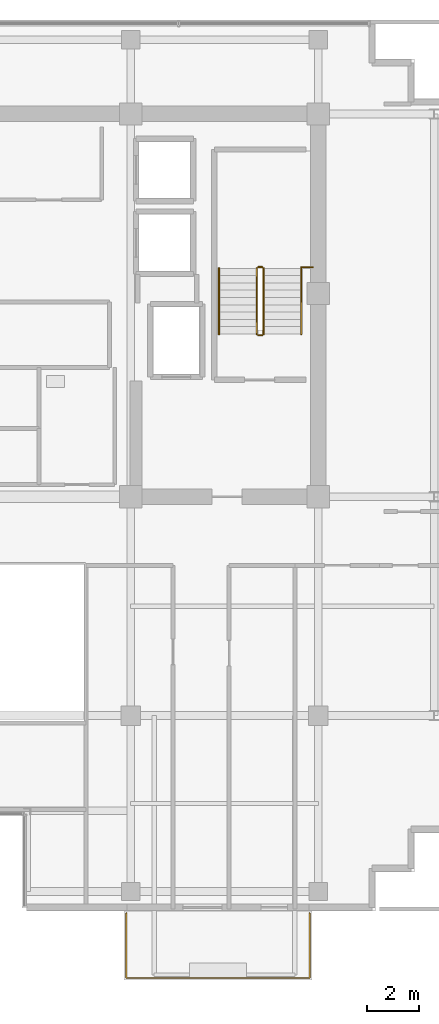
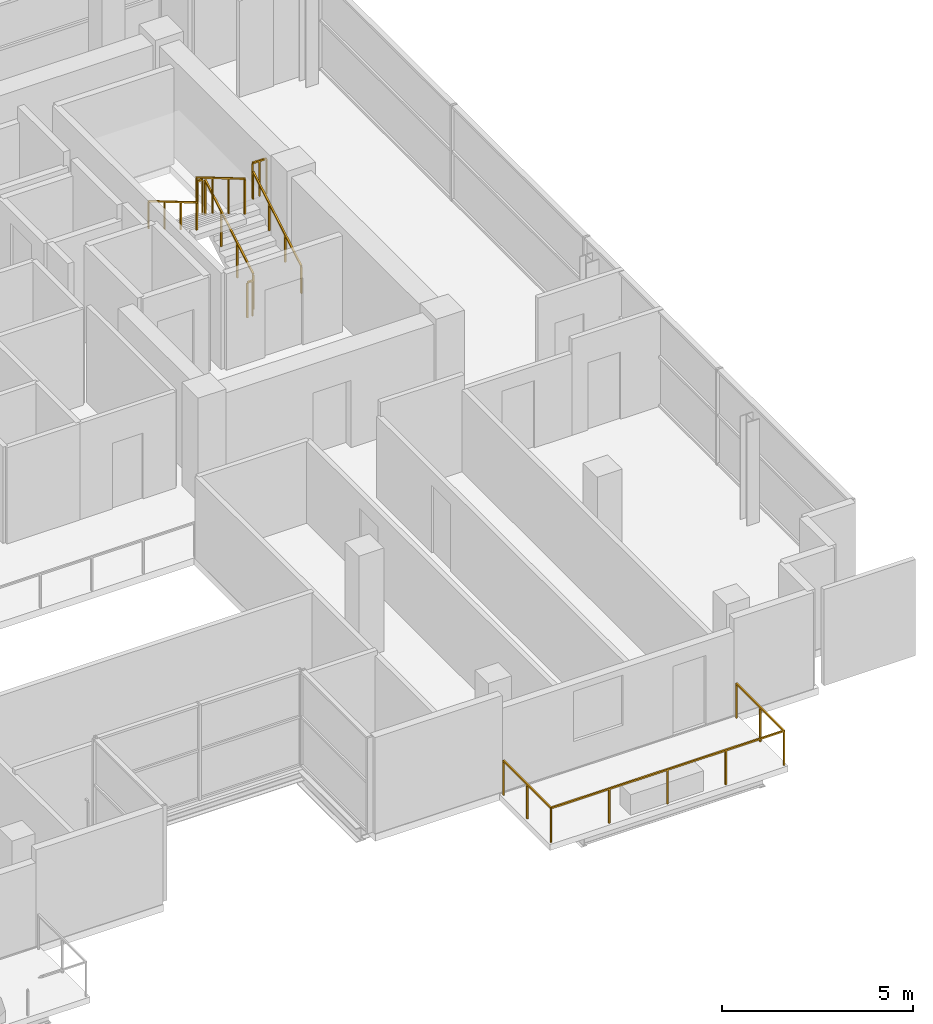
# One storey, part 21 of 22: 8 railings.
"""IFC4 building model written with IfcOpenShell, lengths in metres."""

from ifc_helpers import new_model, si_unit, direction, frame, origin, origin_2d, place, context, subcontext, project, spatial, rectangle, extrude, material, type_object, element, save


model = new_model("IFC4")

# Units and contexts
model_context = context("Model", 3, precision=1e-05, world=origin(), true_north=direction((0.0, 1.0)))
body_context = subcontext(model_context, "Body", "Model", "MODEL_VIEW")
ifc_project = project(units=[si_unit("LENGTHUNIT", "METRE"), si_unit("AREAUNIT", "SQUARE_METRE"), si_unit("VOLUMEUNIT", "CUBIC_METRE"), si_unit("PLANEANGLEUNIT", "RADIAN"), si_unit("MASSUNIT", "GRAM", prefix="KILO")], contexts=[model_context])

# Site, building, storey
site_placement = place(None, origin())
site = spatial("IfcSite", under=ifc_project, at=site_placement, CompositionType="ELEMENT")
building_placement = place(site_placement, origin())
building = spatial("IfcBuilding", under=site, at=building_placement, Name="Zarnakvel Exchange Tower", CompositionType="ELEMENT")
storey_placement = place(building_placement, frame((0.0, 0.0, 228.699951171875)))
storey = spatial("IfcBuildingStorey", under=building, at=storey_placement, Name="L64", CompositionType="ELEMENT", Elevation=228.699951171875)

# Railings
ifc_material_1 = material(Name="Architectural Bronze Anodised Aluminium", Category="aluminium")
railing_type_1 = type_object("IfcRailingType", Name="GR-02", PredefinedType="GUARDRAIL", material=ifc_material_1)
railing_1_placement = place(storey_placement, frame((7.030029296875, -17.179931640625, -0.034912109375)))
element("IfcRailing", 1, at=railing_1_placement, inside=storey, type_object=railing_type_1, Name="L64 Balcony Guardrail BAL-L64-SE", PredefinedType="GUARDRAIL", context=body_context, shape_type="SweptSolid", body=[
    extrude(rectangle(XDim=0.048095703125, YDim=0.048095703125, at=origin_2d()), frame((0.0, 0.0, 1.09619140625), z_axis=(0.0, -1.0, 0.0), x_axis=(1.0, 0.0, 0.0)), (0.0, 0.0, 1.0), 2.489990234375),
    extrude(rectangle(XDim=0.048095703125, YDim=0.048095703125, at=origin_2d()), frame((0.0, -2.489990234375, 1.09619140625), z_axis=(1.0, 0.0, 0.0), x_axis=(0.0, 1.0, 0.0)), (0.0, 0.0, 1.0), 7.0400390625),
    extrude(rectangle(XDim=0.048095703125, YDim=0.048095703125, at=origin_2d()), frame((7.0400390625, -2.489990234375, 1.09619140625), z_axis=(0.0, 1.0, 0.0), x_axis=(-1.0, 0.0, 0.0)), (0.0, 0.0, 1.0), 2.489990234375),
    extrude(rectangle(XDim=0.0419921875, YDim=0.0419921875, at=origin_2d()), origin(), (0.0, 0.0, 1.0), 1.072021484375),
    extrude(rectangle(XDim=0.0419921875, YDim=0.0419921875, at=origin_2d()), frame((0.0, -1.2451171875, 0.0)), (0.0, 0.0, 1.0), 1.072021484375),
    extrude(rectangle(XDim=0.0419921875, YDim=0.0419921875, at=origin_2d()), frame((0.0, -2.489990234375, 0.0)), (0.0, 0.0, 1.0), 1.072021484375),
    extrude(rectangle(XDim=0.0419921875, YDim=0.0419921875, at=origin_2d()), frame((1.760009765625, -2.489990234375, 0.0)), (0.0, 0.0, 1.0), 1.072021484375),
    extrude(rectangle(XDim=0.0419921875, YDim=0.0419921875, at=origin_2d()), frame((3.52001953125, -2.489990234375, 0.0)), (0.0, 0.0, 1.0), 1.072021484375),
    extrude(rectangle(XDim=0.0419921875, YDim=0.0419921875, at=origin_2d()), frame((5.280029296875, -2.489990234375, 0.0)), (0.0, 0.0, 1.0), 1.072021484375),
    extrude(rectangle(XDim=0.0419921875, YDim=0.0419921875, at=origin_2d()), frame((7.0400390625, -2.489990234375, 0.0)), (0.0, 0.0, 1.0), 1.072021484375),
    extrude(rectangle(XDim=0.0419921875, YDim=0.0419921875, at=origin_2d()), frame((7.0400390625, -1.2451171875, 0.0)), (0.0, 0.0, 1.0), 1.072021484375),
    extrude(rectangle(XDim=0.0419921875, YDim=0.0419921875, at=origin_2d()), frame((7.0400390625, 0.0, 0.0)), (0.0, 0.0, 1.0), 1.072021484375),
])
ifc_material_2 = material(Name="Brushed Stainless Steel", Category="steel")
railing_type_2 = type_object("IfcRailingType", Name="HR-01", PredefinedType="HANDRAIL", material=ifc_material_2)
railing_2_placement = place(storey_placement, frame((13.75, 5.050048828125, 0.1650390625)))
element("IfcRailing", 2, at=railing_2_placement, inside=storey, type_object=railing_type_2, Name="L64 ST-02 stair handrail 1", PredefinedType="HANDRAIL", context=body_context, shape_type="SweptSolid", body=[
    extrude(rectangle(XDim=0.048095703125, YDim=0.048095703125, at=origin_2d()), frame((0.0, 0.0, 0.8759765625), z_axis=(0.0, 0.86152411907, 0.507716645641), x_axis=(-1.0, 0.0, 0.0)), (0.0, 0.0, 1.0), 2.925048828125),
    extrude(rectangle(XDim=0.0419921875, YDim=0.0419921875, at=origin_2d()), origin(), (0.0, 0.0, 1.0), 0.851806640625),
    extrude(rectangle(XDim=0.0419921875, YDim=0.0419921875, at=origin_2d()), frame((0.0, 0.840087890625, 0.4951171875)), (0.0, 0.0, 1.0), 0.851806640625),
    extrude(rectangle(XDim=0.0419921875, YDim=0.0419921875, at=origin_2d()), frame((0.0, 1.679931640625, 0.989990234375)), (0.0, 0.0, 1.0), 0.851806640625),
    extrude(rectangle(XDim=0.0419921875, YDim=0.0419921875, at=origin_2d()), frame((0.0, 2.52001953125, 1.485107421875)), (0.0, 0.0, 1.0), 0.851806640625),
])
railing_3_placement = place(storey_placement, frame((10.590087890625, 7.570068359375, 1.81494140625)))
element("IfcRailing", 3, at=railing_3_placement, inside=storey, type_object=railing_type_2, Name="L64 ST-02 stair handrail 2", PredefinedType="HANDRAIL", context=body_context, shape_type="SweptSolid", body=[
    extrude(rectangle(XDim=0.048095703125, YDim=0.048095703125, at=origin_2d()), frame((0.0, 0.0, 0.8759765625), z_axis=(0.0, -0.86152411907, 0.507716645641), x_axis=(1.0, 0.0, 0.0)), (0.0, 0.0, 1.0), 2.925048828125),
    extrude(rectangle(XDim=0.0419921875, YDim=0.0419921875, at=origin_2d()), origin(), (0.0, 0.0, 1.0), 0.851806640625),
    extrude(rectangle(XDim=0.0419921875, YDim=0.0419921875, at=origin_2d()), frame((0.0, -0.840087890625, 0.4951171875)), (0.0, 0.0, 1.0), 0.851806640625),
    extrude(rectangle(XDim=0.0419921875, YDim=0.0419921875, at=origin_2d()), frame((0.0, -1.679931640625, 0.989990234375)), (0.0, 0.0, 1.0), 0.851806640625),
    extrude(rectangle(XDim=0.0419921875, YDim=0.0419921875, at=origin_2d()), frame((0.0, -2.52001953125, 1.485107421875)), (0.0, 0.0, 1.0), 0.851806640625),
])
railing_type_3 = type_object("IfcRailingType", Name="SG-01", PredefinedType="GUARDRAIL", material=ifc_material_1)
railing_4_placement = place(storey_placement, frame((12.300048828125, 5.050048828125, 0.1650390625)))
element("IfcRailing", 4, at=railing_4_placement, inside=storey, type_object=railing_type_3, Name="L64 ST-02 stair guard 1", PredefinedType="GUARDRAIL", context=body_context, shape_type="SweptSolid", body=[
    extrude(rectangle(XDim=0.048095703125, YDim=0.048095703125, at=origin_2d()), frame((0.0, 0.0, 1.1259765625), z_axis=(0.0, 0.86152411907, 0.507716645641), x_axis=(-1.0, 0.0, 0.0)), (0.0, 0.0, 1.0), 2.925048828125),
    extrude(rectangle(XDim=0.0419921875, YDim=0.0419921875, at=origin_2d()), origin(), (0.0, 0.0, 1.0), 1.101806640625),
    extrude(rectangle(XDim=0.0419921875, YDim=0.0419921875, at=origin_2d()), frame((0.0, 0.840087890625, 0.4951171875)), (0.0, 0.0, 1.0), 1.101806640625),
    extrude(rectangle(XDim=0.0419921875, YDim=0.0419921875, at=origin_2d()), frame((0.0, 1.679931640625, 0.989990234375)), (0.0, 0.0, 1.0), 1.101806640625),
    extrude(rectangle(XDim=0.0419921875, YDim=0.0419921875, at=origin_2d()), frame((0.0, 2.52001953125, 1.485107421875)), (0.0, 0.0, 1.0), 1.101806640625),
])
railing_5_placement = place(storey_placement, frame((12.25, 7.6201171875, 1.650146484375)))
element("IfcRailing", 5, at=railing_5_placement, inside=storey, type_object=railing_type_3, Name="L64 ST-02 stair guard 2", PredefinedType="GUARDRAIL", context=body_context, shape_type="SweptSolid", body=[
    extrude(rectangle(XDim=0.048095703125, YDim=0.048095703125, at=origin_2d()), frame((0.0, 0.0, 1.1259765625), z_axis=(-1.0, 0.0, 0.0), x_axis=(0.0, -1.0, 0.0)), (0.0, 0.0, 1.0), 0.159912109375),
    extrude(rectangle(XDim=0.0419921875, YDim=0.0419921875, at=origin_2d()), origin(), (0.0, 0.0, 1.0), 1.101806640625),
    extrude(rectangle(XDim=0.0419921875, YDim=0.0419921875, at=origin_2d()), frame((-0.159912109375, 0.0, 0.0)), (0.0, 0.0, 1.0), 1.101806640625),
])
railing_6_placement = place(storey_placement, frame((12.0400390625, 7.570068359375, 1.81494140625)))
element("IfcRailing", 6, at=railing_6_placement, inside=storey, type_object=railing_type_3, Name="L64 ST-02 stair guard 3", PredefinedType="GUARDRAIL", context=body_context, shape_type="SweptSolid", body=[
    extrude(rectangle(XDim=0.048095703125, YDim=0.048095703125, at=origin_2d()), frame((0.0, 0.0, 1.1259765625), z_axis=(0.0, -0.86152411907, 0.507716645641), x_axis=(1.0, 0.0, 0.0)), (0.0, 0.0, 1.0), 2.925048828125),
    extrude(rectangle(XDim=0.0419921875, YDim=0.0419921875, at=origin_2d()), origin(), (0.0, 0.0, 1.0), 1.101806640625),
    extrude(rectangle(XDim=0.0419921875, YDim=0.0419921875, at=origin_2d()), frame((0.0, -0.840087890625, 0.4951171875)), (0.0, 0.0, 1.0), 1.101806640625),
    extrude(rectangle(XDim=0.0419921875, YDim=0.0419921875, at=origin_2d()), frame((0.0, -1.679931640625, 0.989990234375)), (0.0, 0.0, 1.0), 1.101806640625),
    extrude(rectangle(XDim=0.0419921875, YDim=0.0419921875, at=origin_2d()), frame((0.0, -2.52001953125, 1.485107421875)), (0.0, 0.0, 1.0), 1.101806640625),
])
railing_7_placement = place(storey_placement, frame((12.25, 5.0, 0.0)))
element("IfcRailing", 7, at=railing_7_placement, inside=storey, type_object=railing_type_3, Name="L64 ST-02 stair guard 4", PredefinedType="GUARDRAIL", context=body_context, shape_type="SweptSolid", body=[
    extrude(rectangle(XDim=0.048095703125, YDim=0.048095703125, at=origin_2d()), frame((0.0, 0.0, 1.1259765625), z_axis=(-1.0, 0.0, 0.0), x_axis=(0.0, -1.0, 0.0)), (0.0, 0.0, 1.0), 0.159912109375),
    extrude(rectangle(XDim=0.0419921875, YDim=0.0419921875, at=origin_2d()), origin(), (0.0, 0.0, 1.0), 1.101806640625),
    extrude(rectangle(XDim=0.0419921875, YDim=0.0419921875, at=origin_2d()), frame((-0.159912109375, 0.0, 0.0)), (0.0, 0.0, 1.0), 1.101806640625),
])
railing_8_placement = place(storey_placement, frame((13.75, 7.610107421875, 1.650146484375)))
element("IfcRailing", 8, at=railing_8_placement, inside=storey, type_object=railing_type_3, Name="L64 ST-02 Landing Slot Guardrail", PredefinedType="GUARDRAIL", context=body_context, shape_type="SweptSolid", body=[
    extrude(rectangle(XDim=0.048095703125, YDim=0.048095703125, at=origin_2d()), frame((0.0, 0.0, 1.1259765625), z_axis=(1.0, 0.0, 0.0), x_axis=(0.0, 1.0, 0.0)), (0.0, 0.0, 1.0), 0.429931640625),
    extrude(rectangle(XDim=0.0419921875, YDim=0.0419921875, at=origin_2d()), origin(), (0.0, 0.0, 1.0), 1.101806640625),
    extrude(rectangle(XDim=0.0419921875, YDim=0.0419921875, at=origin_2d()), frame((0.21484375, 0.0, 0.0)), (0.0, 0.0, 1.0), 1.101806640625),
    extrude(rectangle(XDim=0.0419921875, YDim=0.0419921875, at=origin_2d()), frame((0.429931640625, 0.0, 0.0)), (0.0, 0.0, 1.0), 1.101806640625),
])

save(model, "model.ifc")
